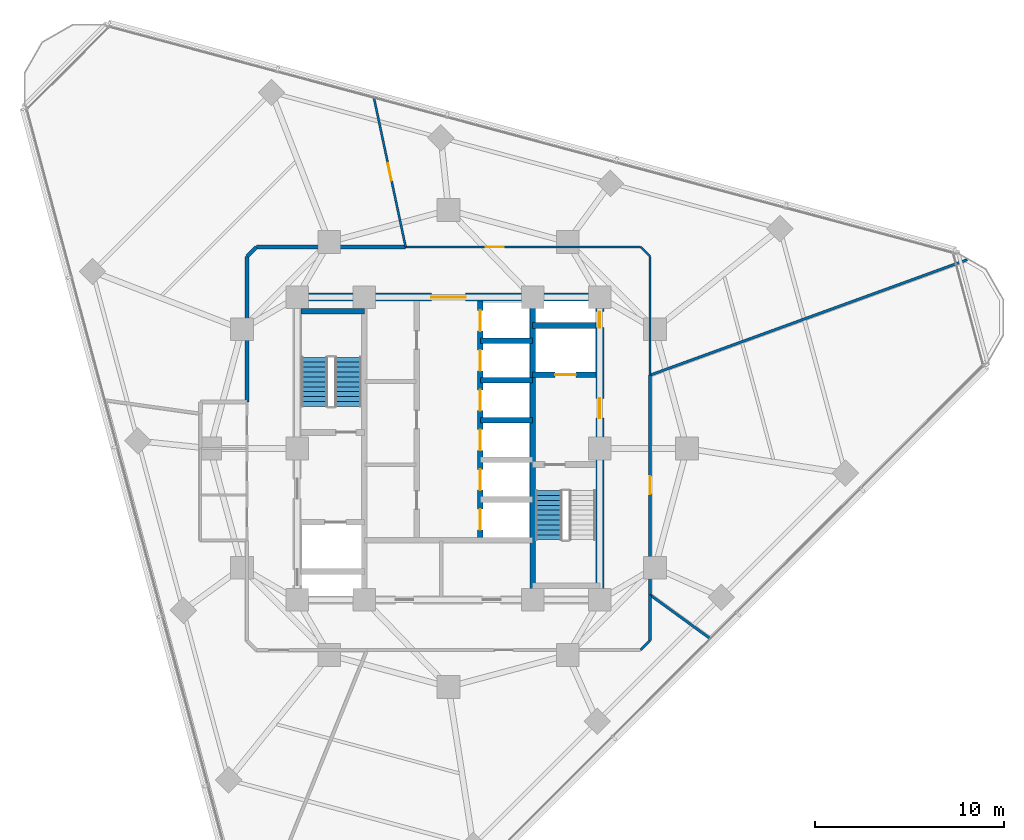
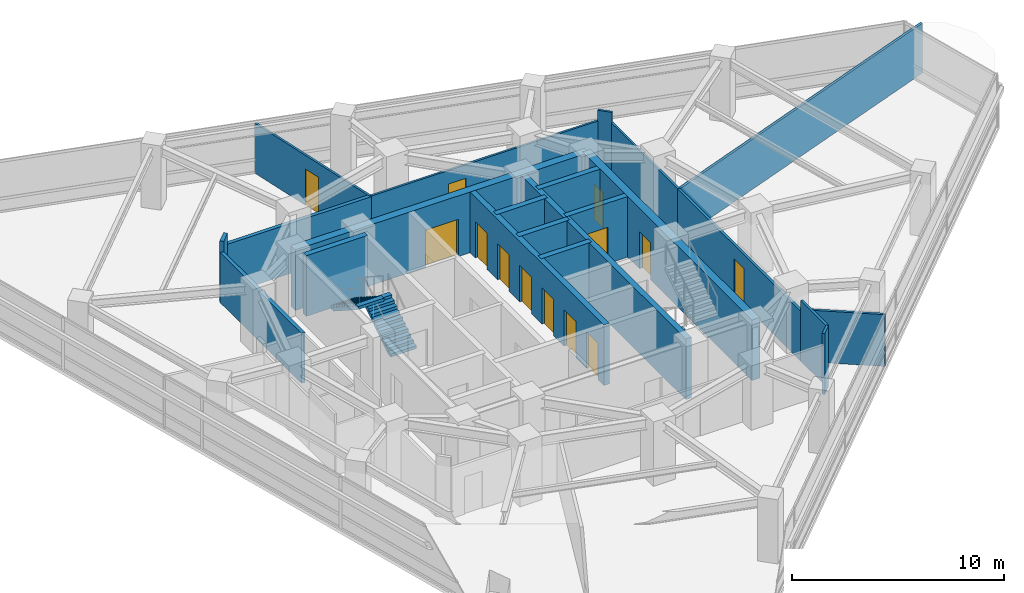
# One storey, part 8 of 13: 22 walls, 13 doors, 3 stair flights, 13 openings, 2 elements without a shape of their own.
"""IFC4 building model written with IfcOpenShell, lengths in metres."""

from ifc_helpers import new_model, si_unit, direction, frame, frame_2d, origin, place, context, subcontext, project, spatial, polyline, rectangle, outline, extrude, material, layer, layer_set, type_object, element, fill, aggregate, save


model = new_model("IFC4")

# Units and contexts
model_context = context("Model", 3, precision=1e-05, world=origin(), true_north=direction((0.0, 1.0)))
body_context = subcontext(model_context, "Body", "Model", "MODEL_VIEW")
ifc_project = project(units=[si_unit("LENGTHUNIT", "METRE"), si_unit("AREAUNIT", "SQUARE_METRE"), si_unit("VOLUMEUNIT", "CUBIC_METRE"), si_unit("PLANEANGLEUNIT", "RADIAN"), si_unit("MASSUNIT", "GRAM", prefix="KILO")], contexts=[model_context])

# Site, building, storey
site_placement = place(None, origin())
site = spatial("IfcSite", under=ifc_project, at=site_placement, CompositionType="ELEMENT")
building_placement = place(site_placement, origin())
building = spatial("IfcBuilding", under=site, at=building_placement, Name="Terralouvre Media Tower", CompositionType="ELEMENT")
storey_placement = place(building_placement, frame((0.0, 0.0, 195.300048828125)))
storey = spatial("IfcBuildingStorey", under=building, at=storey_placement, Name="L50", CompositionType="ELEMENT", Elevation=195.300048828125)

# Walls
ifc_material_1 = material(Name="Concrete C50/60", Category="concrete")
ifc_layer_1 = layer(ifc_material_1, 0.300048828125, Name="Core Internal Shaft Wall CW-300")
ifc_layer_set_1 = layer_set([ifc_layer_1], Name="Concrete C50/60")
wall_type_1 = type_object("IfcWallType", Name="Core Internal Shaft Wall CW-300", PredefinedType="SHEAR", material=ifc_layer_set_1)
wall_1_placement = place(storey_placement, frame((4.449951171875, -7.7900390625, 0.0), z_axis=(0.0, 0.0, 1.0), x_axis=(0.0, 1.0, 0.0)))
element("IfcWall", 1, at=wall_1_placement, inside=storey, type_object=wall_type_1, Name="L50 Core Shaft Wall SPE", PredefinedType="SHEAR", context=body_context, shape_type="SweptSolid", body=[
    extrude(rectangle(XDim=15.580078125, YDim=0.300048828125, at=frame_2d((7.7900390625, 0.0))), origin(), (0.0, 0.0, 1.0), 3.5),
])
wall_2_placement = place(storey_placement, frame((-7.7900390625, 7.260009765625, 0.0), z_axis=(0.0, 0.0, 1.0), x_axis=(1.0, 0.0, 0.0)))
element("IfcWall", 2, at=wall_2_placement, inside=storey, type_object=wall_type_1, Name="L50 Core Shaft Wall ST1F", PredefinedType="SHEAR", context=body_context, shape_type="SweptSolid", body=[
    extrude(rectangle(XDim=3.340087890625, YDim=0.300048828125, at=frame_2d((1.669921875, 0.0))), origin(), (0.0, 0.0, 1.0), 3.5),
])

# Wall, opening, door
wall_3_placement = place(storey_placement, frame((4.449951171875, 3.89990234375, 0.0), z_axis=(0.0, 0.0, 1.0), x_axis=(1.0, 0.0, 0.0)))
wall_3 = element("IfcWall", 3, at=wall_3_placement, inside=storey, type_object=wall_type_1, Name="L50 Core Shaft Wall FF2S", PredefinedType="SHEAR", context=body_context, shape_type="SweptSolid", body=[
    extrude(rectangle(XDim=3.340087890625, YDim=0.300048828125, at=frame_2d((1.669921875, 0.0))), origin(), (0.0, 0.0, 1.0), 3.5),
])
opening_1_placement = place(wall_3_placement, frame((1.179931640625, 0.0, 0.0)))
opening_1 = element("IfcOpeningElement", 4, at=opening_1_placement, cuts=wall_3, Name="Opening LD-FF", PredefinedType="OPENING", context=body_context, shape_type="SweptSolid", body=[
    extrude(rectangle(XDim=1.10009765625, YDim=2.10009765625, at=frame_2d((0.550048828125, 1.050048828125))), frame((0.0, 0.159912109375, 0.0), z_axis=(0.0, -1.0, 0.0), x_axis=(1.0, 0.0, 0.0)), (0.0, 0.0, 1.0), 0.320068359375),
])
ifc_material_2 = material(Name="Stainless steel 316 handrail and balustrade", Category="steel")
door_type_1 = type_object("IfcDoorType", Name="Firefighting Lift Sliding Landing Door LD-FF", OperationType="SLIDING_TO_LEFT", PredefinedType="DOOR", material=ifc_material_2)
door_1_placement = place(opening_1_placement, origin())
door_1 = element("IfcDoor", 5, at=door_1_placement, inside=storey, type_object=door_type_1, Name="L50 Firefighting Lift FFL-02 Landing Door", OperationType="SLIDING_TO_LEFT", OverallHeight=2.10009765625, OverallWidth=1.10009765625, PredefinedType="DOOR", context=body_context, shape_type="SweptSolid", body=[
    extrude(rectangle(XDim=1.10009765625, YDim=2.10009765625, at=frame_2d((0.550048828125, 1.050048828125))), frame((0.0, 0.02490234375, 0.0), z_axis=(0.0, -1.0, 0.0), x_axis=(1.0, 0.0, 0.0)), (0.0, 0.0, 1.0), 0.050048828125),
])
fill(opening_1, door_1)

# Wall
wall_4_placement = place(storey_placement, frame((4.449951171875, 6.5, 0.0), z_axis=(0.0, 0.0, 1.0), x_axis=(1.0, 0.0, 0.0)))
element("IfcWall", 6, at=wall_4_placement, inside=storey, type_object=wall_type_1, Name="L50 Core Shaft Wall FF2N", PredefinedType="SHEAR", context=body_context, shape_type="SweptSolid", body=[
    extrude(rectangle(XDim=3.340087890625, YDim=0.300048828125, at=frame_2d((1.669921875, 0.0))), origin(), (0.0, 0.0, 1.0), 3.5),
])

# Wall, openings, doors
wall_5_placement = place(storey_placement, frame((1.679931640625, -4.85009765625, 0.0), z_axis=(0.0, 0.0, 1.0), x_axis=(0.0, 1.0, 0.0)))
wall_5 = element("IfcWall", 7, at=wall_5_placement, inside=storey, type_object=wall_type_1, Name="L50 Core Shaft Wall LBE", PredefinedType="SHEAR", context=body_context, shape_type="SweptSolid", body=[
    extrude(rectangle(XDim=12.64013671875, YDim=0.300048828125, at=frame_2d((6.320068359375, 0.0))), origin(), (0.0, 0.0, 1.0), 3.5),
])
opening_2_placement = place(wall_5_placement, frame((0.550048828125, 0.0, 0.0)))
opening_2 = element("IfcOpeningElement", 8, at=opening_2_placement, cuts=wall_5, Name="Opening LD-PL", PredefinedType="OPENING", context=body_context, shape_type="SweptSolid", body=[
    extrude(rectangle(XDim=1.10009765625, YDim=2.10009765625, at=frame_2d((0.550048828125, 1.050048828125))), frame((0.0, 0.159912109375, 0.0), z_axis=(0.0, -1.0, 0.0), x_axis=(1.0, 0.0, 0.0)), (0.0, 0.0, 1.0), 0.320068359375),
])
opening_3_placement = place(wall_5_placement, frame((2.64990234375, 0.0, 0.0)))
opening_3 = element("IfcOpeningElement", 9, at=opening_3_placement, cuts=wall_5, Name="Opening LD-PL", PredefinedType="OPENING", context=body_context, shape_type="SweptSolid", body=[
    extrude(rectangle(XDim=1.10009765625, YDim=2.10009765625, at=frame_2d((0.550048828125, 1.050048828125))), frame((0.0, 0.159912109375, 0.0), z_axis=(0.0, -1.0, 0.0), x_axis=(1.0, 0.0, 0.0)), (0.0, 0.0, 1.0), 0.320068359375),
])
opening_4_placement = place(wall_5_placement, frame((4.75, 0.0, 0.0)))
opening_4 = element("IfcOpeningElement", 10, at=opening_4_placement, cuts=wall_5, Name="Opening LD-PL", PredefinedType="OPENING", context=body_context, shape_type="SweptSolid", body=[
    extrude(rectangle(XDim=1.10009765625, YDim=2.10009765625, at=frame_2d((0.550048828125, 1.050048828125))), frame((0.0, 0.159912109375, 0.0), z_axis=(0.0, -1.0, 0.0), x_axis=(1.0, 0.0, 0.0)), (0.0, 0.0, 1.0), 0.320068359375),
])
opening_5_placement = place(wall_5_placement, frame((6.85009765625, 0.0, 0.0)))
opening_5 = element("IfcOpeningElement", 11, at=opening_5_placement, cuts=wall_5, Name="Opening LD-PL", PredefinedType="OPENING", context=body_context, shape_type="SweptSolid", body=[
    extrude(rectangle(XDim=1.10009765625, YDim=2.10009765625, at=frame_2d((0.550048828125, 1.050048828125))), frame((0.0, 0.159912109375, 0.0), z_axis=(0.0, -1.0, 0.0), x_axis=(1.0, 0.0, 0.0)), (0.0, 0.0, 1.0), 0.320068359375),
])
opening_6_placement = place(wall_5_placement, frame((8.949951171875, 0.0, 0.0)))
opening_6 = element("IfcOpeningElement", 12, at=opening_6_placement, cuts=wall_5, Name="Opening LD-PL", PredefinedType="OPENING", context=body_context, shape_type="SweptSolid", body=[
    extrude(rectangle(XDim=1.10009765625, YDim=2.10009765625, at=frame_2d((0.550048828125, 1.050048828125))), frame((0.0, 0.159912109375, 0.0), z_axis=(0.0, -1.0, 0.0), x_axis=(1.0, 0.0, 0.0)), (0.0, 0.0, 1.0), 0.320068359375),
])
opening_7_placement = place(wall_5_placement, frame((11.050048828125, 0.0, 0.0)))
opening_7 = element("IfcOpeningElement", 13, at=opening_7_placement, cuts=wall_5, Name="Opening LD-PL", PredefinedType="OPENING", context=body_context, shape_type="SweptSolid", body=[
    extrude(rectangle(XDim=1.10009765625, YDim=2.10009765625, at=frame_2d((0.550048828125, 1.050048828125))), frame((0.0, 0.159912109375, 0.0), z_axis=(0.0, -1.0, 0.0), x_axis=(1.0, 0.0, 0.0)), (0.0, 0.0, 1.0), 0.320068359375),
])
ifc_material_3 = material(Name="Stainless steel 316 handrail and balustrade", Category="steel")
door_type_2 = type_object("IfcDoorType", Name="Passenger Lift Sliding Landing Door LD-PL", OperationType="SLIDING_TO_LEFT", PredefinedType="DOOR", material=ifc_material_3)
door_2_placement = place(opening_2_placement, origin())
door_2 = element("IfcDoor", 14, at=door_2_placement, inside=storey, type_object=door_type_2, Name="L50 High-Rise Lift PL-H1 Landing Door", OperationType="SLIDING_TO_LEFT", OverallHeight=2.10009765625, OverallWidth=1.10009765625, PredefinedType="DOOR", context=body_context, shape_type="SweptSolid", body=[
    extrude(rectangle(XDim=1.10009765625, YDim=2.10009765625, at=frame_2d((0.550048828125, 1.050048828125))), frame((0.0, 0.02490234375, 0.0), z_axis=(0.0, -1.0, 0.0), x_axis=(1.0, 0.0, 0.0)), (0.0, 0.0, 1.0), 0.050048828125),
])
fill(opening_2, door_2)
door_3_placement = place(opening_3_placement, origin())
door_3 = element("IfcDoor", 15, at=door_3_placement, inside=storey, type_object=door_type_2, Name="L50 High-Rise Lift PL-H2 Landing Door", OperationType="SLIDING_TO_LEFT", OverallHeight=2.10009765625, OverallWidth=1.10009765625, PredefinedType="DOOR", context=body_context, shape_type="SweptSolid", body=[
    extrude(rectangle(XDim=1.10009765625, YDim=2.10009765625, at=frame_2d((0.550048828125, 1.050048828125))), frame((0.0, 0.02490234375, 0.0), z_axis=(0.0, -1.0, 0.0), x_axis=(1.0, 0.0, 0.0)), (0.0, 0.0, 1.0), 0.050048828125),
])
fill(opening_3, door_3)
door_4_placement = place(opening_4_placement, origin())
door_4 = element("IfcDoor", 16, at=door_4_placement, inside=storey, type_object=door_type_2, Name="L50 High-Rise Lift PL-H3 Landing Door", OperationType="SLIDING_TO_LEFT", OverallHeight=2.10009765625, OverallWidth=1.10009765625, PredefinedType="DOOR", context=body_context, shape_type="SweptSolid", body=[
    extrude(rectangle(XDim=1.10009765625, YDim=2.10009765625, at=frame_2d((0.550048828125, 1.050048828125))), frame((0.0, 0.02490234375, 0.0), z_axis=(0.0, -1.0, 0.0), x_axis=(1.0, 0.0, 0.0)), (0.0, 0.0, 1.0), 0.050048828125),
])
fill(opening_4, door_4)
door_5_placement = place(opening_5_placement, origin())
door_5 = element("IfcDoor", 17, at=door_5_placement, inside=storey, type_object=door_type_2, Name="L50 Mid-Rise Lift PL-M1 Landing Door", OperationType="SLIDING_TO_LEFT", OverallHeight=2.10009765625, OverallWidth=1.10009765625, PredefinedType="DOOR", context=body_context, shape_type="SweptSolid", body=[
    extrude(rectangle(XDim=1.10009765625, YDim=2.10009765625, at=frame_2d((0.550048828125, 1.050048828125))), frame((0.0, 0.02490234375, 0.0), z_axis=(0.0, -1.0, 0.0), x_axis=(1.0, 0.0, 0.0)), (0.0, 0.0, 1.0), 0.050048828125),
])
fill(opening_5, door_5)
door_6_placement = place(opening_6_placement, origin())
door_6 = element("IfcDoor", 18, at=door_6_placement, inside=storey, type_object=door_type_2, Name="L50 Mid-Rise Lift PL-M2 Landing Door", OperationType="SLIDING_TO_LEFT", OverallHeight=2.10009765625, OverallWidth=1.10009765625, PredefinedType="DOOR", context=body_context, shape_type="SweptSolid", body=[
    extrude(rectangle(XDim=1.10009765625, YDim=2.10009765625, at=frame_2d((0.550048828125, 1.050048828125))), frame((0.0, 0.02490234375, 0.0), z_axis=(0.0, -1.0, 0.0), x_axis=(1.0, 0.0, 0.0)), (0.0, 0.0, 1.0), 0.050048828125),
])
fill(opening_6, door_6)
door_7_placement = place(opening_7_placement, origin())
door_7 = element("IfcDoor", 19, at=door_7_placement, inside=storey, type_object=door_type_2, Name="L50 Mid-Rise Lift PL-M3 Landing Door", OperationType="SLIDING_TO_LEFT", OverallHeight=2.10009765625, OverallWidth=1.10009765625, PredefinedType="DOOR", context=body_context, shape_type="SweptSolid", body=[
    extrude(rectangle(XDim=1.10009765625, YDim=2.10009765625, at=frame_2d((0.550048828125, 1.050048828125))), frame((0.0, 0.02490234375, 0.0), z_axis=(0.0, -1.0, 0.0), x_axis=(1.0, 0.0, 0.0)), (0.0, 0.0, 1.0), 0.050048828125),
])
fill(opening_7, door_7)

# Walls
for number, where, z_axis, x_axis, name in (
    (20, (1.679931640625, 1.5, 0.0), (0.0, 0.0, 1.0), (1.0, 0.0, 0.0), "L50 Core Shaft Wall PLMD0"),
    (21, (1.679931640625, 3.60009765625, 0.0), (0.0, 0.0, 1.0), (1.0, 0.0, 0.0), "L50 Core Shaft Wall PLMD1"),
    (22, (1.679931640625, 5.699951171875, 0.0), (0.0, 0.0, 1.0), (1.0, 0.0, 0.0), "L50 Core Shaft Wall PLMD2"),
):
    element("IfcWall", number, at=place(storey_placement, frame(where, z_axis=z_axis, x_axis=x_axis)), inside=storey, type_object=wall_type_1, Name=name, PredefinedType="SHEAR", context=body_context, shape_type="SweptSolid", body=[
        extrude(rectangle(XDim=2.77001953125, YDim=0.300048828125, at=frame_2d((1.385009765625, 0.0))), origin(), (0.0, 0.0, 1.0), 3.5),
    ])

# Wall, openings, doors
ifc_material_4 = material(Name="Concrete C60/75", Category="concrete")
ifc_layer_2 = layer(ifc_material_4, 0.419921875, Name="Core Reinforced Concrete Shear Wall CW-420")
ifc_layer_set_2 = layer_set([ifc_layer_2], Name="Concrete C60/75")
wall_type_2 = type_object("IfcWallType", Name="Core Reinforced Concrete Shear Wall CW-420", PredefinedType="SHEAR", material=ifc_layer_set_2)
wall_6_placement = place(storey_placement, frame((8.0, -8.0, 0.0), z_axis=(0.0, 0.0, 1.0), x_axis=(0.0, 1.0, 0.0)))
wall_6 = element("IfcWall", 23, at=wall_6_placement, inside=storey, type_object=wall_type_2, Name="L50 E Core Shear Wall", PredefinedType="SHEAR", context=body_context, shape_type="SweptSolid", body=[
    extrude(rectangle(XDim=16.0, YDim=0.419921875, at=frame_2d((8.0, 0.0))), origin(), (0.0, 0.0, 1.0), 3.5),
])
opening_8_placement = place(wall_6_placement, frame((9.60009765625, 0.0, 0.0)))
opening_8 = element("IfcOpeningElement", 24, at=opening_8_placement, cuts=wall_6, Name="Opening FD-01-105X215", PredefinedType="OPENING", context=body_context, shape_type="SweptSolid", body=[
    extrude(rectangle(XDim=1.050048828125, YDim=2.14990234375, at=frame_2d((0.52490234375, 1.074951171875))), frame((0.0, 0.219970703125, 0.0), z_axis=(0.0, -1.0, 0.0), x_axis=(1.0, 0.0, 0.0)), (0.0, 0.0, 1.0), 0.43994140625),
])
opening_9_placement = place(wall_6_placement, frame((14.388671875, 0.0, 0.0)))
opening_9 = element("IfcOpeningElement", 25, at=opening_9_placement, cuts=wall_6, Name="Opening TD-R1", PredefinedType="OPENING", context=body_context, shape_type="SweptSolid", body=[
    extrude(rectangle(XDim=0.85009765625, YDim=2.02001953125, at=frame_2d((0.425048828125, 1.010009765625))), frame((0.0, 0.219970703125, 0.0), z_axis=(0.0, -1.0, 0.0), x_axis=(1.0, 0.0, 0.0)), (0.0, 0.0, 1.0), 0.43994140625),
])
ifc_material_5 = material(Name="Galvanised steel fire-resisting leaf", Category="steel")
door_type_3 = type_object("IfcDoorType", Name="Riser Inspection Access Trapdoor TD-R1", OperationType="NOTDEFINED", PredefinedType="TRAPDOOR", material=ifc_material_5)
door_8_placement = place(opening_9_placement, origin())
door_8 = element("IfcDoor", 26, at=door_8_placement, inside=storey, type_object=door_type_3, Name="L50 East Comms Riser Access Trapdoor", OperationType="SINGLE_SWING_RIGHT", OverallHeight=2.02001953125, OverallWidth=0.85009765625, PredefinedType="TRAPDOOR", context=body_context, shape_type="SweptSolid", body=[
    extrude(rectangle(XDim=0.85009765625, YDim=2.02001953125, at=frame_2d((0.425048828125, 1.010009765625))), frame((0.0, 0.02490234375, 0.0), z_axis=(0.0, -1.0, 0.0), x_axis=(1.0, 0.0, 0.0)), (0.0, 0.0, 1.0), 0.050048828125),
])
fill(opening_9, door_8)
ifc_material_6 = material(Name="Galvanised steel fire-resisting leaf", Category="steel")
door_type_4 = type_object("IfcDoorType", Name="Stair and Firefighting Lobby Fire Door FD-01 (1050x2150)", OperationType="NOTDEFINED", PredefinedType="DOOR", material=ifc_material_6)
door_9_placement = place(opening_8_placement, origin())
door_9 = element("IfcDoor", 27, at=door_9_placement, inside=storey, type_object=door_type_4, Name="L50 East Firefighting Lobby Entry Door", OperationType="SINGLE_SWING_LEFT", OverallHeight=2.14990234375, OverallWidth=1.050048828125, PredefinedType="DOOR", context=body_context, shape_type="SweptSolid", body=[
    extrude(rectangle(XDim=1.050048828125, YDim=2.14990234375, at=frame_2d((0.52490234375, 1.074951171875))), frame((0.0, 0.02490234375, 0.0), z_axis=(0.0, -1.0, 0.0), x_axis=(1.0, 0.0, 0.0)), (0.0, 0.0, 1.0), 0.050048828125),
])
fill(opening_8, door_9)

# Wall, opening, door
wall_7_placement = place(storey_placement, frame((-8.0, 8.0, 0.0), z_axis=(0.0, 0.0, 1.0), x_axis=(1.0, 0.0, 0.0)))
wall_7 = element("IfcWall", 28, at=wall_7_placement, inside=storey, type_object=wall_type_2, Name="L50 N Core Shear Wall", PredefinedType="SHEAR", context=body_context, shape_type="SweptSolid", body=[
    extrude(rectangle(XDim=16.0, YDim=0.419921875, at=frame_2d((8.0, 0.0))), origin(), (0.0, 0.0, 1.0), 3.5),
])
opening_10_placement = place(wall_7_placement, frame((7.10009765625, 0.0, 0.0)))
opening_10 = element("IfcOpeningElement", 29, at=opening_10_placement, cuts=wall_7, Name="Opening FD-03", PredefinedType="OPENING", context=body_context, shape_type="SweptSolid", body=[
    extrude(rectangle(XDim=1.800048828125, YDim=2.14990234375, at=frame_2d((0.89990234375, 1.074951171875))), frame((0.0, 0.219970703125, 0.0), z_axis=(0.0, -1.0, 0.0), x_axis=(1.0, 0.0, 0.0)), (0.0, 0.0, 1.0), 0.43994140625),
])
ifc_material_7 = material(Name="Galvanised steel fire-resisting leaf", Category="steel")
door_type_5 = type_object("IfcDoorType", Name="Corridor Smoke-Control Double Door FD-03", OperationType="DOUBLE_DOOR_SINGLE_SWING", PredefinedType="DOOR", material=ifc_material_7)
door_10_placement = place(opening_10_placement, origin())
door_10 = element("IfcDoor", 30, at=door_10_placement, inside=storey, type_object=door_type_5, Name="L50 Central Lift Lobby Portal Door", OperationType="DOUBLE_DOOR_SINGLE_SWING", OverallHeight=2.14990234375, OverallWidth=1.800048828125, PredefinedType="DOOR", context=body_context, shape_type="SweptSolid", body=[
    extrude(rectangle(XDim=1.800048828125, YDim=2.14990234375, at=frame_2d((0.89990234375, 1.074951171875))), frame((0.0, 0.02490234375, 0.0), z_axis=(0.0, -1.0, 0.0), x_axis=(1.0, 0.0, 0.0)), (0.0, 0.0, 1.0), 0.050048828125),
])
fill(opening_10, door_10)

# Walls
ifc_material_8 = material(Name="Fire-rated gypsum board drywall partition")
ifc_layer_3 = layer(ifc_material_8, 0.199951171875, Name="Fire-Rated Shaft and Lobby Partition FW-200")
ifc_layer_set_3 = layer_set([ifc_layer_3], Name="Fire-rated gypsum board drywall partition")
wall_type_3 = type_object("IfcWallType", Name="Fire-Rated Shaft and Lobby Partition FW-200", PredefinedType="SOLIDWALL", material=ifc_layer_set_3)
wall_8_placement = place(storey_placement, frame((-2.263916015625, 10.64990234375, 0.0), z_axis=(0.0, 0.0, 1.0), x_axis=(-1.0, 0.0, 0.0)))
element("IfcWall", 31, at=wall_8_placement, inside=storey, type_object=wall_type_3, Name="L50 Interior Partition 013", PredefinedType="SOLIDWALL", context=body_context, shape_type="SweptSolid", body=[
    extrude(rectangle(XDim=7.885986328125, YDim=0.199951171875, at=frame_2d((3.94287109375, 0.0))), origin(), (0.0, 0.0, 1.0), 2.885009765625),
])
wall_9_placement = place(storey_placement, frame((-10.14990234375, 10.64990234375, 0.0), z_axis=(0.0, 0.0, 1.0), x_axis=(-0.707106781187, -0.707106781187, 0.0)))
element("IfcWall", 32, at=wall_9_placement, inside=storey, type_object=wall_type_3, Name="L50 Interior Partition 014", PredefinedType="SOLIDWALL", context=body_context, shape_type="SweptSolid", body=[
    extrude(rectangle(XDim=0.70703125, YDim=0.199951171875, at=frame_2d((0.353515625, 0.0))), origin(), (0.0, 0.0, 1.0), 3.5),
])
wall_10_placement = place(storey_placement, frame((-10.64990234375, 10.14990234375, 0.0), z_axis=(0.0, 0.0, 1.0), x_axis=(0.0, -1.0, 0.0)))
element("IfcWall", 33, at=wall_10_placement, inside=storey, type_object=wall_type_3, Name="L50 Interior Partition 015", PredefinedType="SOLIDWALL", context=body_context, shape_type="SweptSolid", body=[
    extrude(rectangle(XDim=7.699951171875, YDim=0.199951171875, at=frame_2d((3.85009765625, 0.0))), origin(), (0.0, 0.0, 1.0), 2.885009765625),
])
ifc_material_9 = material(Name="Fire-rated gypsum board drywall partition")
ifc_layer_4 = layer(ifc_material_9, 0.135009765625, Name="Newsroom Acoustic Partition PT-135")
ifc_layer_set_4 = layer_set([ifc_layer_4], Name="Fire-rated gypsum board drywall partition")
wall_type_4 = type_object("IfcWallType", Name="Newsroom Acoustic Partition PT-135", PredefinedType="PARTITIONING", material=ifc_layer_set_4)
wall_11_placement = place(storey_placement, frame((10.14990234375, -10.64990234375, 0.0), z_axis=(0.0, 0.0, 1.0), x_axis=(0.707106781187, 0.707106781187, 0.0)))
element("IfcWall", 34, at=wall_11_placement, inside=storey, type_object=wall_type_4, Name="L50 Interior Partition 007", PredefinedType="PARTITIONING", context=body_context, shape_type="SweptSolid", body=[
    extrude(rectangle(XDim=0.70703125, YDim=0.135009765625, at=frame_2d((0.353515625, 0.0))), origin(), (0.0, 0.0, 1.0), 3.5),
])
wall_12_placement = place(storey_placement, frame((10.64990234375, -10.14990234375, 0.0), z_axis=(0.0, 0.0, 1.0), x_axis=(0.0, 1.0, 0.0)))
element("IfcWall", 35, at=wall_12_placement, inside=storey, type_object=wall_type_4, Name="L50 Interior Partition 008", PredefinedType="PARTITIONING", context=body_context, shape_type="SweptSolid", body=[
    extrude(rectangle(XDim=2.411865234375, YDim=0.135009765625, at=frame_2d((1.2060546875, 0.0))), origin(), (0.0, 0.0, 1.0), 3.5),
])

# Wall, opening, door
wall_13_placement = place(storey_placement, frame((10.64990234375, -7.738037109375, 0.0), z_axis=(0.0, 0.0, 1.0), x_axis=(0.0, 1.0, 0.0)))
wall_13 = element("IfcWall", 36, at=wall_13_placement, inside=storey, type_object=wall_type_4, Name="L50 Interior Partition 009", PredefinedType="PARTITIONING", context=body_context, shape_type="SweptSolid", body=[
    extrude(rectangle(XDim=11.614013671875, YDim=0.135009765625, at=frame_2d((5.80712890625, 0.0))), origin(), (0.0, 0.0, 1.0), 2.885009765625),
])
opening_11_placement = place(wall_13_placement, frame((5.33203125, 0.0, 0.0)))
opening_11 = element("IfcOpeningElement", 37, at=opening_11_placement, cuts=wall_13, Name="Opening ID-02-95X210", PredefinedType="OPENING", context=body_context, shape_type="SweptSolid", body=[
    extrude(rectangle(XDim=0.949951171875, YDim=2.10009765625, at=frame_2d((0.47509765625, 1.050048828125))), frame((0.0, 0.077392578125, 0.0), z_axis=(0.0, -1.0, 0.0), x_axis=(1.0, 0.0, 0.0)), (0.0, 0.0, 1.0), 0.155029296875),
])
ifc_material_10 = material(Name="Engineered hardwood acoustic timber leaf", Category="wood")
door_type_6 = type_object("IfcDoorType", Name="Office and Meeting Room Door ID-02 (950x2100)", OperationType="NOTDEFINED", PredefinedType="DOOR", material=ifc_material_10)
door_11_placement = place(opening_11_placement, origin())
door_11 = element("IfcDoor", 38, at=door_11_placement, inside=storey, type_object=door_type_6, Name="L50 Foreign Press Reading Study 3 Door", OperationType="SINGLE_SWING_RIGHT", OverallHeight=2.10009765625, OverallWidth=0.949951171875, PredefinedType="DOOR", context=body_context, shape_type="SweptSolid", body=[
    extrude(rectangle(XDim=0.949951171875, YDim=2.10009765625, at=frame_2d((0.47509765625, 1.050048828125))), frame((0.0, 0.02490234375, 0.0), z_axis=(0.0, -1.0, 0.0), x_axis=(1.0, 0.0, 0.0)), (0.0, 0.0, 1.0), 0.050048828125),
])
fill(opening_11, door_11)

# Walls
wall_14_placement = place(storey_placement, frame((13.86181640625, -10.07080078125, 0.0), z_axis=(0.0, 0.0, 1.0), x_axis=(-0.80911622839, 0.587648644137, 0.0)))
element("IfcWall", 39, at=wall_14_placement, inside=storey, type_object=wall_type_4, Name="L50 Interior Partition 025", PredefinedType="PARTITIONING", context=body_context, shape_type="SweptSolid", body=[
    extrude(rectangle(XDim=3.9697265625, YDim=0.135009765625, at=frame_2d((1.98486328125, 0.0))), origin(), (0.0, 0.0, 1.0), 2.98486328125),
])
wall_15_placement = place(storey_placement, frame((27.40771484375, 9.9755859375, 0.0), z_axis=(0.0, 0.0, 1.0), x_axis=(-0.939687855064, -0.342033236756, 0.0)))
element("IfcWall", 40, at=wall_15_placement, inside=storey, type_object=wall_type_4, Name="L50 Interior Partition 026", PredefinedType="PARTITIONING", context=body_context, shape_type="SweptSolid", body=[
    extrude(rectangle(XDim=17.83349609375, YDim=0.135009765625, at=frame_2d((8.916748046875, 0.0))), origin(), (0.0, 0.0, 1.0), 2.885009765625),
])
ifc_material_11 = material(Name="Fire-rated gypsum board drywall partition")
ifc_layer_5 = layer(ifc_material_11, 0.114990234375, Name="Restroom and Pantry Partition PT-115")
ifc_layer_set_5 = layer_set([ifc_layer_5], Name="Fire-rated gypsum board drywall partition")
wall_type_5 = type_object("IfcWallType", Name="Restroom and Pantry Partition PT-115", PredefinedType="PARTITIONING", material=ifc_layer_set_5)
wall_16_placement = place(storey_placement, frame((10.64990234375, 3.8759765625, 0.0), z_axis=(0.0, 0.0, 1.0), x_axis=(0.0, 1.0, 0.0)))
element("IfcWall", 41, at=wall_16_placement, inside=storey, type_object=wall_type_5, Name="L50 Interior Partition 010", PredefinedType="PARTITIONING", context=body_context, shape_type="SweptSolid", body=[
    extrude(rectangle(XDim=6.27392578125, YDim=0.114990234375, at=frame_2d((3.136962890625, 0.0))), origin(), (0.0, 0.0, 1.0), 2.885009765625),
])
wall_17_placement = place(storey_placement, frame((10.64990234375, 10.14990234375, 0.0), z_axis=(0.0, 0.0, 1.0), x_axis=(-0.707106781187, 0.707106781187, 0.0)))
element("IfcWall", 42, at=wall_17_placement, inside=storey, type_object=wall_type_5, Name="L50 Interior Partition 011", PredefinedType="PARTITIONING", context=body_context, shape_type="SweptSolid", body=[
    extrude(rectangle(XDim=0.70703125, YDim=0.114990234375, at=frame_2d((0.353515625, 0.0))), origin(), (0.0, 0.0, 1.0), 3.5),
])

# Wall, opening, door
wall_18_placement = place(storey_placement, frame((10.14990234375, 10.64990234375, 0.0), z_axis=(0.0, 0.0, 1.0), x_axis=(-1.0, 0.0, 0.0)))
wall_18 = element("IfcWall", 43, at=wall_18_placement, inside=storey, type_object=wall_type_5, Name="L50 Interior Partition 012", PredefinedType="PARTITIONING", context=body_context, shape_type="SweptSolid", body=[
    extrude(rectangle(XDim=12.413818359375, YDim=0.114990234375, at=frame_2d((6.20703125, 0.0))), origin(), (0.0, 0.0, 1.0), 2.885009765625),
])
opening_12_placement = place(wall_18_placement, frame((7.2216796875, 0.0, 0.0)))
opening_12 = element("IfcOpeningElement", 44, at=opening_12_placement, cuts=wall_18, Name="Opening SD-01-95X210", PredefinedType="OPENING", context=body_context, shape_type="SweptSolid", body=[
    extrude(rectangle(XDim=0.949951171875, YDim=2.10009765625, at=frame_2d((0.47509765625, 1.050048828125))), frame((0.0, 0.0673828125, 0.0), z_axis=(0.0, -1.0, 0.0), x_axis=(1.0, 0.0, 0.0)), (0.0, 0.0, 1.0), 0.135009765625),
])
ifc_material_12 = material(Name="Anodised extruded aluminium 6063-T6", Category="aluminium")
door_type_7 = type_object("IfcDoorType", Name="Pantry Pocket Sliding Door SD-01 (950x2100)", OperationType="SLIDING_TO_LEFT", PredefinedType="DOOR", material=ifc_material_12)
door_12_placement = place(opening_12_placement, origin())
door_12 = element("IfcDoor", 45, at=door_12_placement, inside=storey, type_object=door_type_7, Name="L50 International Tea Servery 4 Door", OperationType="SLIDING_TO_LEFT", OverallHeight=2.10009765625, OverallWidth=0.949951171875, PredefinedType="DOOR", context=body_context, shape_type="SweptSolid", body=[
    extrude(rectangle(XDim=0.949951171875, YDim=2.10009765625, at=frame_2d((0.47509765625, 1.050048828125))), frame((0.0, 0.02490234375, 0.0), z_axis=(0.0, -1.0, 0.0), x_axis=(1.0, 0.0, 0.0)), (0.0, 0.0, 1.0), 0.050048828125),
])
fill(opening_12, door_12)

wall_19_placement = place(storey_placement, frame((-3.949462890625, 18.578125, 0.0), z_axis=(0.0, 0.0, 1.0), x_axis=(0.20795313807, -0.978138789931, 0.0)))
wall_19 = element("IfcWall", 46, at=wall_19_placement, inside=storey, type_object=wall_type_5, Name="L50 Interior Partition 027", PredefinedType="PARTITIONING", context=body_context, shape_type="SweptSolid", body=[
    extrude(rectangle(XDim=8.10546875, YDim=0.114990234375, at=frame_2d((4.052734375, 0.0))), origin(), (0.0, 0.0, 1.0), 2.885009765625),
])
opening_13_placement = place(wall_19_placement, frame((3.5927734375, 0.0, 0.0)))
opening_13 = element("IfcOpeningElement", 47, at=opening_13_placement, cuts=wall_19, Name="Opening FD-05-92X210", PredefinedType="OPENING", context=body_context, shape_type="SweptSolid", body=[
    extrude(rectangle(XDim=0.919921875, YDim=2.10009765625, at=frame_2d((0.4599609375, 1.050048828125))), frame((0.0, 0.0673828125, 0.0), z_axis=(0.0, -1.0, 0.0), x_axis=(1.0, 0.0, 0.0)), (0.0, 0.0, 1.0), 0.135009765625),
])
ifc_material_13 = material(Name="Galvanised steel fire-resisting leaf", Category="steel")
door_type_8 = type_object("IfcDoorType", Name="Core Accessible Closet Fire Door FD-05 (920x2100)", OperationType="NOTDEFINED", PredefinedType="DOOR", material=ifc_material_13)
door_13_placement = place(opening_13_placement, origin())
door_13 = element("IfcDoor", 48, at=door_13_placement, inside=storey, type_object=door_type_8, Name="L50 Satellite Downlink Server Room 5 Door", OperationType="SINGLE_SWING_LEFT", OverallHeight=2.10009765625, OverallWidth=0.919921875, PredefinedType="DOOR", context=body_context, shape_type="SweptSolid", body=[
    extrude(rectangle(XDim=0.919921875, YDim=2.10009765625, at=frame_2d((0.4599609375, 1.050048828125))), frame((0.0, 0.02490234375, 0.0), z_axis=(0.0, -1.0, 0.0), x_axis=(1.0, 0.0, 0.0)), (0.0, 0.0, 1.0), 0.050048828125),
])
fill(opening_13, door_13)

# Stair, stair flights
ifc_material_14 = material(Name="Concrete C45/55", Category="concrete")
stair_type_1 = type_object("IfcStairType", Name="Dogleg Stair Assembly ST-01", PredefinedType="HALF_TURN_STAIR", material=ifc_material_14)
stair_1_placement = place(storey_placement, origin())
stair_1 = element("IfcStair", 49, at=stair_1_placement, inside=storey, type_object=stair_type_1, Name="L50 Core Pressurised Exit Stair ST-01", PredefinedType="HALF_TURN_STAIR")
ifc_material_15 = material(Name="Concrete C45/55", Category="concrete")
stair_flight_type = type_object("IfcStairFlightType", Name="Reinforced Concrete Stair Flight SF-RC1", PredefinedType="STRAIGHT", material=ifc_material_15)
stair_flight_1_placement = place(storey_placement, frame((-5.300048828125, 2.219970703125, 0.0), z_axis=(0.0, 0.0, 1.0), x_axis=(0.0, 1.0, 0.0)))
stair_flight_1 = element("IfcStairFlight", 50, at=stair_flight_1_placement, type_object=stair_flight_type, Name="ST-01 flight 1", NumberOfRisers=11, NumberOfTreads=10, PredefinedType="STRAIGHT", RiserHeight=0.168181818, TreadLength=0.26, context=body_context, shape_type="SweptSolid", body=[
    extrude(outline(polyline([(0.0, 0.0), (0.0, 0.168212890625), (0.260009765625, 0.168212890625), (0.260009765625, 0.33642578125), (0.52001953125, 0.33642578125), (0.52001953125, 0.504638671875), (0.780029296875, 0.504638671875), (0.780029296875, 0.672607421875), (1.0400390625, 0.672607421875), (1.0400390625, 0.8408203125), (1.300048828125, 0.8408203125), (1.300048828125, 1.009033203125), (1.56005859375, 1.009033203125), (1.56005859375, 1.17724609375), (1.820068359375, 1.17724609375), (1.820068359375, 1.345458984375), (2.080078125, 1.345458984375), (2.080078125, 1.513671875), (2.340087890625, 1.513671875), (2.340087890625, 1.681884765625), (2.60009765625, 1.681884765625), (2.60009765625, 1.85009765625), (2.60009765625, 1.503173828125), (0.27587890625, 0.0), (0.0, 0.0)])), frame((0.0, 0.699951171875, 0.0), z_axis=(0.0, -1.0, 0.0), x_axis=(1.0, 0.0, 0.0)), (0.0, 0.0, 1.0), 1.39990234375),
])
stair_flight_2_placement = place(storey_placement, frame((-7.080078125, 4.820068359375, 1.849853515625), z_axis=(0.0, 0.0, 1.0), x_axis=(0.0, -1.0, 0.0)))
stair_flight_2 = element("IfcStairFlight", 51, at=stair_flight_2_placement, type_object=stair_flight_type, Name="ST-01 flight 2", NumberOfRisers=11, NumberOfTreads=10, PredefinedType="STRAIGHT", RiserHeight=0.168181818, TreadLength=0.26, context=body_context, shape_type="SweptSolid", body=[
    extrude(outline(polyline([(0.0, 0.0), (0.0, 0.168212890625), (0.260009765625, 0.168212890625), (0.260009765625, 0.33642578125), (0.52001953125, 0.33642578125), (0.52001953125, 0.504638671875), (0.780029296875, 0.504638671875), (0.780029296875, 0.672607421875), (1.0400390625, 0.672607421875), (1.0400390625, 0.8408203125), (1.300048828125, 0.8408203125), (1.300048828125, 1.009033203125), (1.56005859375, 1.009033203125), (1.56005859375, 1.17724609375), (1.820068359375, 1.17724609375), (1.820068359375, 1.345458984375), (2.080078125, 1.345458984375), (2.080078125, 1.513671875), (2.340087890625, 1.513671875), (2.340087890625, 1.681884765625), (2.60009765625, 1.681884765625), (2.60009765625, 1.85009765625), (2.60009765625, 1.503173828125), (0.27587890625, 0.0), (0.0, 0.0)])), frame((0.0, 0.699951171875, 0.0), z_axis=(0.0, -1.0, 0.0), x_axis=(1.0, 0.0, 0.0)), (0.0, 0.0, 1.0), 1.39990234375),
])
aggregate(stair_1, [stair_flight_1, stair_flight_2])

# Stair, stair flight
ifc_material_16 = material(Name="Concrete C45/55", Category="concrete")
stair_type_2 = type_object("IfcStairType", Name="Dogleg Stair Assembly ST-02", PredefinedType="HALF_TURN_STAIR", material=ifc_material_16)
stair_2_placement = place(storey_placement, origin())
stair_2 = element("IfcStair", 52, at=stair_2_placement, inside=storey, type_object=stair_type_2, Name="L50 Core Pressurised Exit Stair ST-02", PredefinedType="HALF_TURN_STAIR")
stair_flight_3_placement = place(storey_placement, frame((5.300048828125, -2.219970703125, 0.0), z_axis=(0.0, 0.0, 1.0), x_axis=(0.0, -1.0, 0.0)))
stair_flight_3 = element("IfcStairFlight", 53, at=stair_flight_3_placement, type_object=stair_flight_type, Name="ST-02 flight 1", NumberOfRisers=11, NumberOfTreads=10, PredefinedType="STRAIGHT", RiserHeight=0.168181818, TreadLength=0.26, context=body_context, shape_type="SweptSolid", body=[
    extrude(outline(polyline([(0.0, 0.0), (0.0, 0.168212890625), (0.260009765625, 0.168212890625), (0.260009765625, 0.33642578125), (0.52001953125, 0.33642578125), (0.52001953125, 0.504638671875), (0.780029296875, 0.504638671875), (0.780029296875, 0.672607421875), (1.0400390625, 0.672607421875), (1.0400390625, 0.8408203125), (1.300048828125, 0.8408203125), (1.300048828125, 1.009033203125), (1.56005859375, 1.009033203125), (1.56005859375, 1.17724609375), (1.820068359375, 1.17724609375), (1.820068359375, 1.345458984375), (2.080078125, 1.345458984375), (2.080078125, 1.513671875), (2.340087890625, 1.513671875), (2.340087890625, 1.681884765625), (2.60009765625, 1.681884765625), (2.60009765625, 1.85009765625), (2.60009765625, 1.503173828125), (0.27587890625, 0.0), (0.0, 0.0)])), frame((0.0, 0.699951171875, 0.0), z_axis=(0.0, -1.0, 0.0), x_axis=(1.0, 0.0, 0.0)), (0.0, 0.0, 1.0), 1.39990234375),
])
aggregate(stair_2, [stair_flight_3])

save(model, "model.ifc")
